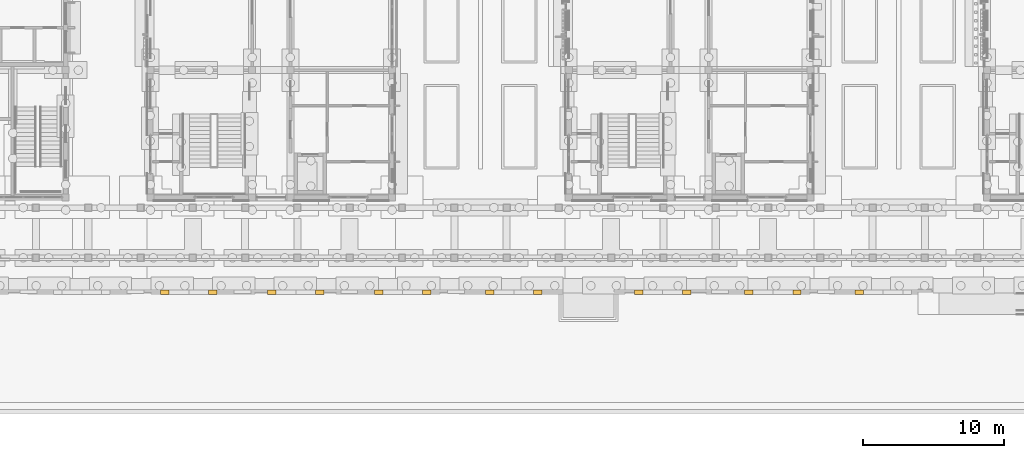
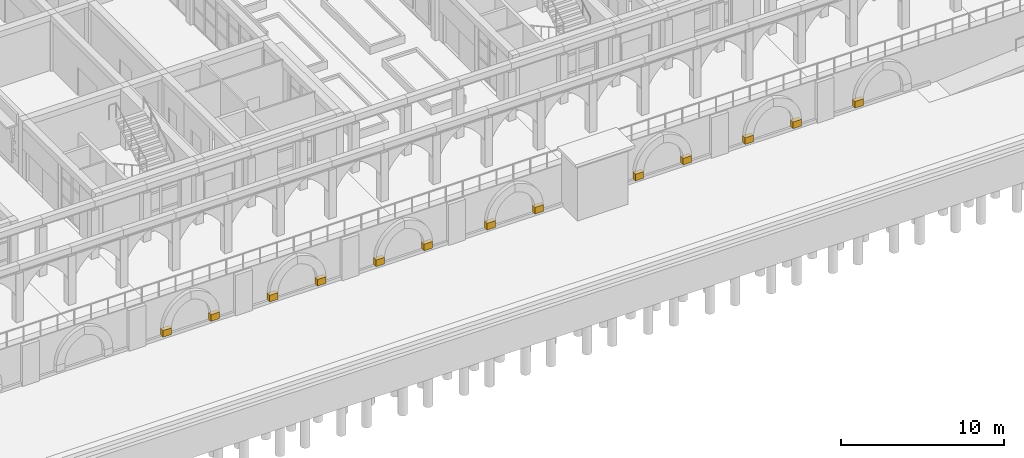
# One storey, part 149 of 161: 13 coverings.
"""IFC4 building model written with IfcOpenShell, lengths in metres."""

from ifc_helpers import new_model, si_unit, direction, frame, origin, place, context, subcontext, project, spatial, polyline, outline, extrude, material, layer, layer_set, type_object, element, save


model = new_model("IFC4")

# Units and contexts
model_context = context("Model", 3, precision=1e-05, world=origin(), true_north=direction((0.0, 1.0)))
body_context = subcontext(model_context, "Body", "Model", "MODEL_VIEW")
ifc_project = project(units=[si_unit("LENGTHUNIT", "METRE"), si_unit("AREAUNIT", "SQUARE_METRE"), si_unit("VOLUMEUNIT", "CUBIC_METRE"), si_unit("PLANEANGLEUNIT", "RADIAN"), si_unit("MASSUNIT", "GRAM", prefix="KILO")], contexts=[model_context])

# Site, building, storey
site_placement = place(None, origin())
site = spatial("IfcSite", under=ifc_project, at=site_placement, CompositionType="ELEMENT")
building_placement = place(site_placement, origin())
building = spatial("IfcBuilding", under=site, at=building_placement, Name="Elbe Cascade School", CompositionType="ELEMENT")
storey_placement = place(building_placement, origin())
storey = spatial("IfcBuildingStorey", under=building, at=storey_placement, Name="L00", CompositionType="ELEMENT", Elevation=0.0)

# Coverings
ifc_material = material(Name="Sandstone - red", Category="masonry")
ifc_layer = layer(ifc_material, 0.300048828125)
ifc_layer_set = layer_set([ifc_layer], Name="Sandstone - red")
covering_type = type_object("IfcCoveringType", Name="Plinth niche frame leg 600x300", PredefinedType="CLADDING", material=ifc_layer_set)
covering_1_placement = place(storey_placement, frame((0.0, 0.0, -2.85009765625)))
element("IfcCovering", 1, at=covering_1_placement, inside=storey, type_object=covering_type, Name="Plinth niche frame leg south 0.4.3a", PredefinedType="CLADDING", context=body_context, shape_type="SweptSolid", body=[
    extrude(outline(polyline([(69.716552734375, -0.860107421875), (70.316650390625, -0.860107421875), (70.316650390625, -0.56005859375), (69.716552734375, -0.56005859375), (69.716552734375, -0.860107421875)])), origin(), (0.0, 0.0, 1.0), 0.5),
])
covering_2_placement = place(storey_placement, frame((0.0, 0.0, -2.85009765625)))
element("IfcCovering", 2, at=covering_2_placement, inside=storey, type_object=covering_type, Name="Plinth niche frame leg south 0.4.3b", PredefinedType="CLADDING", context=body_context, shape_type="SweptSolid", body=[
    extrude(outline(polyline([(73.11669921875, -0.860107421875), (73.716552734375, -0.860107421875), (73.716552734375, -0.56005859375), (73.11669921875, -0.56005859375), (73.11669921875, -0.860107421875)])), origin(), (0.0, 0.0, 1.0), 0.5),
])
covering_3_placement = place(storey_placement, frame((0.0, 0.0, -2.85009765625)))
element("IfcCovering", 3, at=covering_3_placement, inside=storey, type_object=covering_type, Name="Plinth niche frame leg south 0.4.4a", PredefinedType="CLADDING", context=body_context, shape_type="SweptSolid", body=[
    extrude(outline(polyline([(77.283447265625, -0.860107421875), (77.88330078125, -0.860107421875), (77.88330078125, -0.56005859375), (77.283447265625, -0.56005859375), (77.283447265625, -0.860107421875)])), origin(), (0.0, 0.0, 1.0), 0.5),
])
covering_4_placement = place(storey_placement, frame((0.0, 0.0, -2.85009765625)))
element("IfcCovering", 4, at=covering_4_placement, inside=storey, type_object=covering_type, Name="Plinth niche frame leg south 0.4.4b", PredefinedType="CLADDING", context=body_context, shape_type="SweptSolid", body=[
    extrude(outline(polyline([(80.683349609375, -0.860107421875), (81.283447265625, -0.860107421875), (81.283447265625, -0.56005859375), (80.683349609375, -0.56005859375), (80.683349609375, -0.860107421875)])), origin(), (0.0, 0.0, 1.0), 0.5),
])
covering_5_placement = place(storey_placement, frame((0.0, 0.0, -2.85009765625)))
element("IfcCovering", 5, at=covering_5_placement, inside=storey, type_object=covering_type, Name="Plinth niche frame leg south 0.4.5a", PredefinedType="CLADDING", context=body_context, shape_type="SweptSolid", body=[
    extrude(outline(polyline([(84.85009765625, -0.860107421875), (85.449951171875, -0.860107421875), (85.449951171875, -0.56005859375), (84.85009765625, -0.56005859375), (84.85009765625, -0.860107421875)])), origin(), (0.0, 0.0, 1.0), 0.5),
])
covering_6_placement = place(storey_placement, frame((0.0, 0.0, -2.85009765625)))
element("IfcCovering", 6, at=covering_6_placement, inside=storey, type_object=covering_type, Name="Plinth niche frame leg south 0.4.5b", PredefinedType="CLADDING", context=body_context, shape_type="SweptSolid", body=[
    extrude(outline(polyline([(88.25, -0.860107421875), (88.85009765625, -0.860107421875), (88.85009765625, -0.56005859375), (88.25, -0.56005859375), (88.25, -0.860107421875)])), origin(), (0.0, 0.0, 1.0), 0.5),
])
covering_7_placement = place(storey_placement, frame((0.0, 0.0, -2.85009765625)))
element("IfcCovering", 7, at=covering_7_placement, inside=storey, type_object=covering_type, Name="Plinth niche frame leg south 0.4.6a", PredefinedType="CLADDING", context=body_context, shape_type="SweptSolid", body=[
    extrude(outline(polyline([(92.716552734375, -0.860107421875), (93.316650390625, -0.860107421875), (93.316650390625, -0.56005859375), (92.716552734375, -0.56005859375), (92.716552734375, -0.860107421875)])), origin(), (0.0, 0.0, 1.0), 0.5),
])
covering_8_placement = place(storey_placement, frame((0.0, 0.0, -2.85009765625)))
element("IfcCovering", 8, at=covering_8_placement, inside=storey, type_object=covering_type, Name="Plinth niche frame leg south 0.4.6b", PredefinedType="CLADDING", context=body_context, shape_type="SweptSolid", body=[
    extrude(outline(polyline([(96.11669921875, -0.860107421875), (96.716552734375, -0.860107421875), (96.716552734375, -0.56005859375), (96.11669921875, -0.56005859375), (96.11669921875, -0.860107421875)])), origin(), (0.0, 0.0, 1.0), 0.5),
])
covering_9_placement = place(storey_placement, frame((0.0, 0.0, -2.85009765625)))
element("IfcCovering", 9, at=covering_9_placement, inside=storey, type_object=covering_type, Name="Plinth niche frame leg south 0.5.1a", PredefinedType="CLADDING", context=body_context, shape_type="SweptSolid", body=[
    extrude(outline(polyline([(103.25, -0.860107421875), (103.85009765625, -0.860107421875), (103.85009765625, -0.56005859375), (103.25, -0.56005859375), (103.25, -0.860107421875)])), origin(), (0.0, 0.0, 1.0), 0.5),
])
covering_10_placement = place(storey_placement, frame((0.0, 0.0, -2.85009765625)))
element("IfcCovering", 10, at=covering_10_placement, inside=storey, type_object=covering_type, Name="Plinth niche frame leg south 0.5.1b", PredefinedType="CLADDING", context=body_context, shape_type="SweptSolid", body=[
    extrude(outline(polyline([(106.64990234375, -0.860107421875), (107.25, -0.860107421875), (107.25, -0.56005859375), (106.64990234375, -0.56005859375), (106.64990234375, -0.860107421875)])), origin(), (0.0, 0.0, 1.0), 0.5),
])
covering_11_placement = place(storey_placement, frame((0.0, 0.0, -2.85009765625)))
element("IfcCovering", 11, at=covering_11_placement, inside=storey, type_object=covering_type, Name="Plinth niche frame leg south 0.5.2a", PredefinedType="CLADDING", context=body_context, shape_type="SweptSolid", body=[
    extrude(outline(polyline([(111.050048828125, -0.860107421875), (111.64990234375, -0.860107421875), (111.64990234375, -0.56005859375), (111.050048828125, -0.56005859375), (111.050048828125, -0.860107421875)])), origin(), (0.0, 0.0, 1.0), 0.5),
])
covering_12_placement = place(storey_placement, frame((0.0, 0.0, -2.85009765625)))
element("IfcCovering", 12, at=covering_12_placement, inside=storey, type_object=covering_type, Name="Plinth niche frame leg south 0.5.2b", PredefinedType="CLADDING", context=body_context, shape_type="SweptSolid", body=[
    extrude(outline(polyline([(114.449951171875, -0.860107421875), (115.050048828125, -0.860107421875), (115.050048828125, -0.56005859375), (114.449951171875, -0.56005859375), (114.449951171875, -0.860107421875)])), origin(), (0.0, 0.0, 1.0), 0.5),
])
covering_13_placement = place(storey_placement, frame((0.0, 0.0, -2.85009765625)))
element("IfcCovering", 13, at=covering_13_placement, inside=storey, type_object=covering_type, Name="Plinth niche frame leg south 0.5.3a", PredefinedType="CLADDING", context=body_context, shape_type="SweptSolid", body=[
    extrude(outline(polyline([(118.85009765625, -0.860107421875), (119.449951171875, -0.860107421875), (119.449951171875, -0.56005859375), (118.85009765625, -0.56005859375), (118.85009765625, -0.860107421875)])), origin(), (0.0, 0.0, 1.0), 0.5),
])

save(model, "model.ifc")
